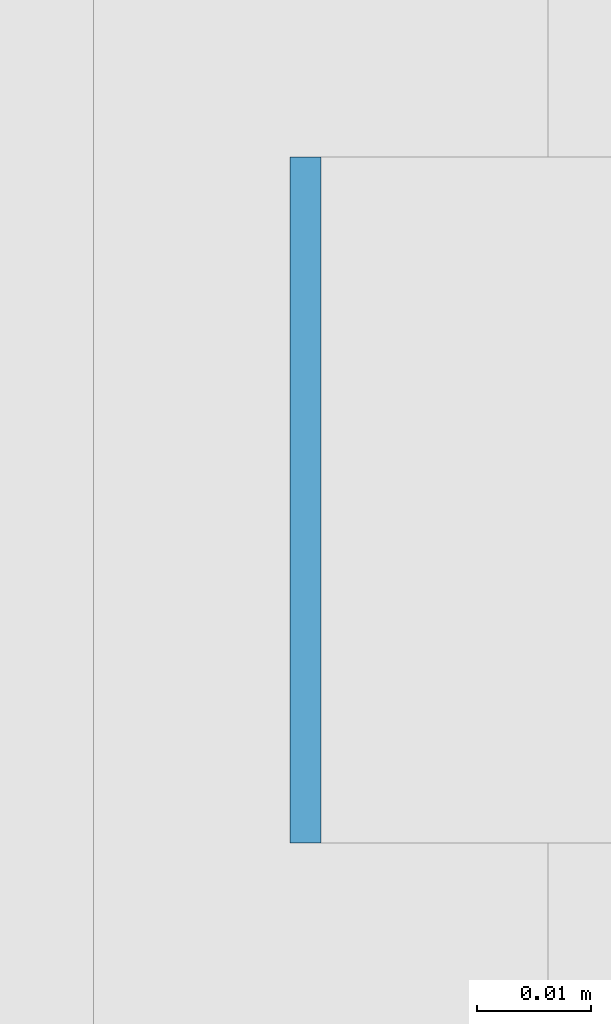
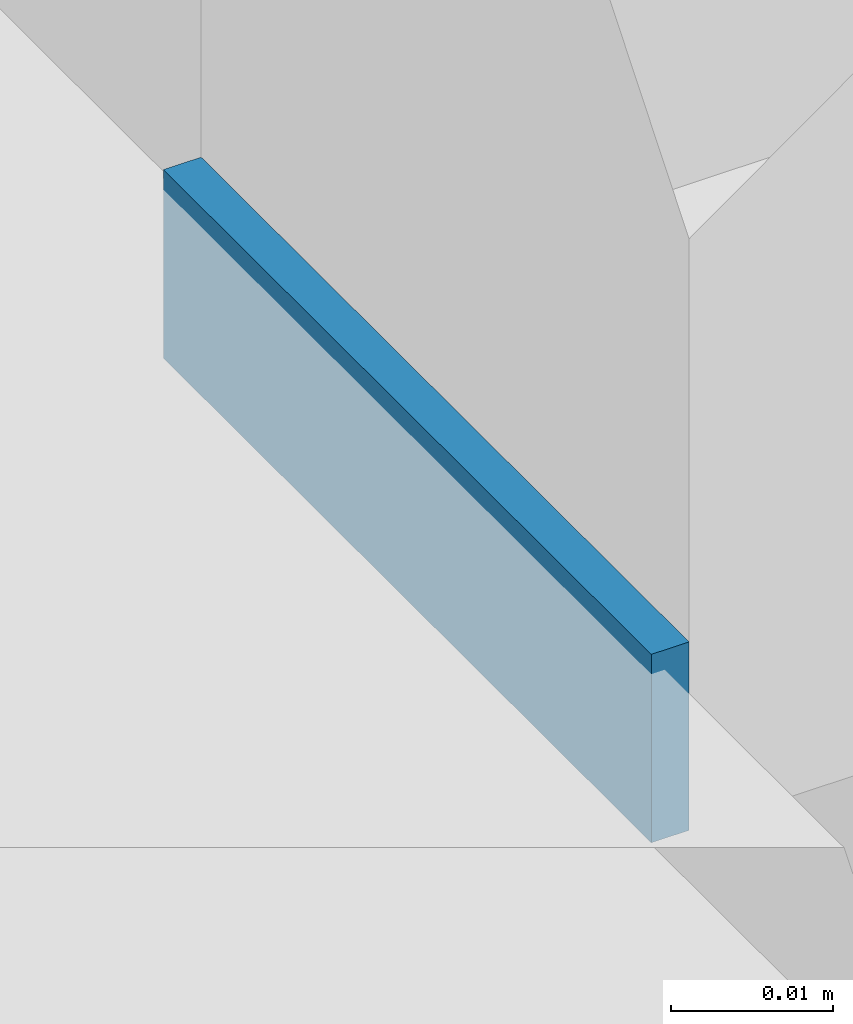
# One storey, part 504 of 646: 1 discrete accessory.
"""IFC4 building model written with IfcOpenShell, lengths in metres."""

from ifc_helpers import new_model, si_unit, direction, frame, origin, origin_2d, place, context, subcontext, project, spatial, rectangle, extrude, material, type_object, element, save


model = new_model("IFC4")

# Units and contexts
model_context = context("Model", 3, precision=1e-05, world=origin(), true_north=direction((0.0, 1.0)))
body_context = subcontext(model_context, "Body", "Model", "MODEL_VIEW")
ifc_project = project(units=[si_unit("LENGTHUNIT", "METRE"), si_unit("AREAUNIT", "SQUARE_METRE"), si_unit("VOLUMEUNIT", "CUBIC_METRE"), si_unit("PLANEANGLEUNIT", "RADIAN"), si_unit("MASSUNIT", "GRAM", prefix="KILO")], contexts=[model_context])

# Site, building, storey
site_placement = place(None, origin())
site = spatial("IfcSite", under=ifc_project, at=site_placement, CompositionType="ELEMENT")
building_placement = place(site_placement, origin())
building = spatial("IfcBuilding", under=site, at=building_placement, Name="Silverbay Arena", CompositionType="ELEMENT")
storey_placement = place(building_placement, frame((0.0, 0.0, 33.5)))
storey = spatial("IfcBuildingStorey", under=building, at=storey_placement, Name="L05", CompositionType="ELEMENT", Elevation=33.5)

# Discrete accessory
ifc_material = material(Name="Steel S355", Category="steel")
discrete_accessory_type = type_object("IfcDiscreteAccessoryType", Name="Steel bracket plate", PredefinedType="BRACKET", material=ifc_material)
discrete_accessory_placement = place(storey_placement, frame((207.128662109375, 69.428466796875, 4.0), z_axis=(0.0, 0.0, 1.0), x_axis=(1.0, 0.0, 0.0)))
element("IfcDiscreteAccessory", 1, at=discrete_accessory_placement, inside=storey, type_object=discrete_accessory_type, Name="Curtain wall packing plate", PredefinedType="BRACKET", context=body_context, shape_type="SweptSolid", body=[
    extrude(rectangle(XDim=0.002685546875, YDim=0.06005859375, at=origin_2d()), origin(), (0.0, 0.0, 1.0), 0.01416015625),
])

save(model, "model.ifc")
